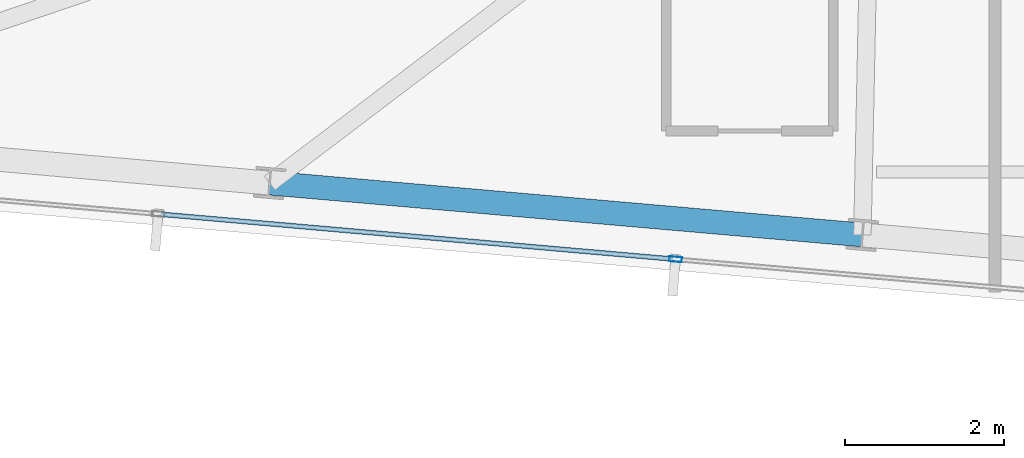
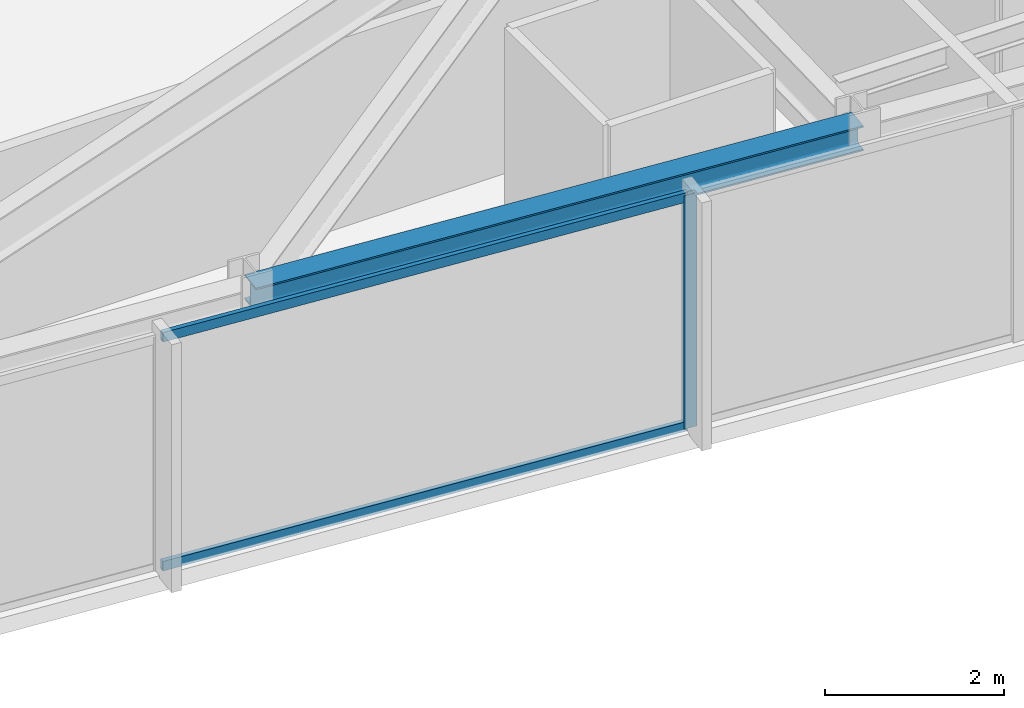
# One storey, part 3 of 33: 3 members, 1 beam, 1 element without a shape of its own.
"""IFC4 building model written with IfcOpenShell, lengths in metres."""

from ifc_helpers import new_model, si_unit, direction, frame, origin, origin_2d, place, context, subcontext, project, spatial, hollow_rectangle, i_section, extrude, material, material_profile, profile_set, type_object, element, aggregate, save


model = new_model("IFC4")

# Units and contexts
model_context = context("Model", 3, precision=1e-05, world=origin(), true_north=direction((0.0, 1.0)))
body_context = subcontext(model_context, "Body", "Model", "MODEL_VIEW")
ifc_project = project(units=[si_unit("LENGTHUNIT", "METRE"), si_unit("AREAUNIT", "SQUARE_METRE"), si_unit("VOLUMEUNIT", "CUBIC_METRE"), si_unit("PLANEANGLEUNIT", "RADIAN"), si_unit("MASSUNIT", "GRAM", prefix="KILO")], contexts=[model_context])

# Site, building, storey
site_placement = place(None, origin())
site = spatial("IfcSite", under=ifc_project, at=site_placement, CompositionType="ELEMENT")
building_placement = place(site_placement, origin())
building = spatial("IfcBuilding", under=site, at=building_placement, Name="Yelkora Congress Tower", CompositionType="ELEMENT")
storey_placement = place(building_placement, frame((0.0, 0.0, 282.89990234375)))
storey = spatial("IfcBuildingStorey", under=building, at=storey_placement, Name="L79", CompositionType="ELEMENT", Elevation=282.89990234375)

# Beam
ifc_material_1 = material(Name="Steel S355J2", Category="steel")
ifc_material_profile_1 = material_profile(ifc_material_1, i_section(OverallWidth=0.300048828125, OverallDepth=0.340087890625, WebThickness=0.011962890625, FlangeThickness=0.021484375, FilletRadius=0.027099609375, at=origin_2d()), Name="HEB 340")
ifc_profile_set_1 = profile_set([ifc_material_profile_1], Name="Steel S355J2")
beam_type = type_object("IfcBeamType", Name="BM-SPAN-HEB340", PredefinedType="SPANDREL", material=ifc_profile_set_1)
beam_placement = place(storey_placement, frame((15.452880859375, 19.445556640625, 3.010009765625), z_axis=(0.996193186297, -0.08717302092, 0.0), x_axis=(0.08717302092, 0.996193186297, 0.0)))
element("IfcBeam", 1, at=beam_placement, inside=storey, type_object=beam_type, Name="L79 Perimeter Beam 2", PredefinedType="SPANDREL", context=body_context, shape_type="SweptSolid", body=[
    extrude(i_section(OverallWidth=0.300048828125, OverallDepth=0.340087890625, WebThickness=0.011962890625, FlangeThickness=0.021484375, FilletRadius=0.027099609375, at=origin_2d()), origin(), (0.0, 0.0, 1.0), 7.4833984375),
])

# Curtain wall, members
ifc_material_2 = material(Name="Anodised aluminium and insulated glass", Category="aluminium")
curtain_wall_type = type_object("IfcCurtainWallType", Name="CW-SYS-B5", PredefinedType="NOTDEFINED", material=ifc_material_2)
curtain_wall_placement = place(storey_placement, origin())
curtain_wall = element("IfcCurtainWall", 2, at=curtain_wall_placement, inside=storey, type_object=curtain_wall_type, Name="L79 Unitised Curtain Wall 20", PredefinedType="NOTDEFINED")
ifc_material_3 = material(Name="Anodised aluminium 6063-T6", Category="aluminium")
ifc_material_profile_2 = material_profile(ifc_material_3, hollow_rectangle(XDim=0.06494140625, YDim=0.159912109375, WallThickness=0.00390625, at=origin_2d()), Name="ALU 65x160x4")
ifc_profile_set_2 = profile_set([ifc_material_profile_2], Name="Anodised aluminium 6063-T6")
member_type_1 = type_object("IfcMemberType", Name="MEM-ML-B5", PredefinedType="MULLION", material=ifc_profile_set_2)
member_1_placement = place(storey_placement, frame((20.558349609375, 18.487060546875, 0.0), z_axis=(0.0, 0.0, 1.0), x_axis=(-0.087156829793, -0.996194602987, 0.0)))
member_1 = element("IfcMember", 3, at=member_1_placement, type_object=member_type_1, Name="CW-B5 mullion 6", PredefinedType="MULLION", context=body_context, shape_type="SweptSolid", body=[
    extrude(hollow_rectangle(XDim=0.06494140625, YDim=0.159912109375, WallThickness=0.00390625, at=origin_2d()), origin(), (0.0, 0.0, 1.0), 3.18017578125),
])
ifc_material_profile_3 = material_profile(ifc_material_3, hollow_rectangle(XDim=0.06005859375, YDim=0.1298828125, WallThickness=0.00390625, at=origin_2d()), Name="ALU 60x130x4")
ifc_profile_set_3 = profile_set([ifc_material_profile_3], Name="Anodised aluminium 6063-T6")
member_type_2 = type_object("IfcMemberType", Name="MEM-TR-B5", PredefinedType="USERDEFINED", material=ifc_profile_set_3)
member_2_placement = place(storey_placement, frame((20.52587890625, 18.48974609375, 0.030029296875), z_axis=(-0.99619269288, 0.087178659385, 0.0), x_axis=(-0.087178659385, -0.99619269288, 0.0)))
member_2 = element("IfcMember", 4, at=member_2_placement, type_object=member_type_2, Name="CW-B5 transom 6.1", ObjectType="TRANSOM", PredefinedType="USERDEFINED", context=body_context, shape_type="SweptSolid", body=[
    extrude(hollow_rectangle(XDim=0.06005859375, YDim=0.1298828125, WallThickness=0.00390625, at=origin_2d()), origin(), (0.0, 0.0, 1.0), 6.46630859375),
])
member_3_placement = place(storey_placement, frame((20.52587890625, 18.48974609375, 3.150146484375), z_axis=(-0.99619269288, 0.087178659385, 0.0), x_axis=(-0.087178659385, -0.99619269288, 0.0)))
member_3 = element("IfcMember", 5, at=member_3_placement, type_object=member_type_2, Name="CW-B5 transom 6.2", ObjectType="TRANSOM", PredefinedType="USERDEFINED", context=body_context, shape_type="SweptSolid", body=[
    extrude(hollow_rectangle(XDim=0.06005859375, YDim=0.1298828125, WallThickness=0.00390625, at=origin_2d()), origin(), (0.0, 0.0, 1.0), 6.46630859375),
])
aggregate(curtain_wall, [member_1, member_2, member_3])

save(model, "model.ifc")
